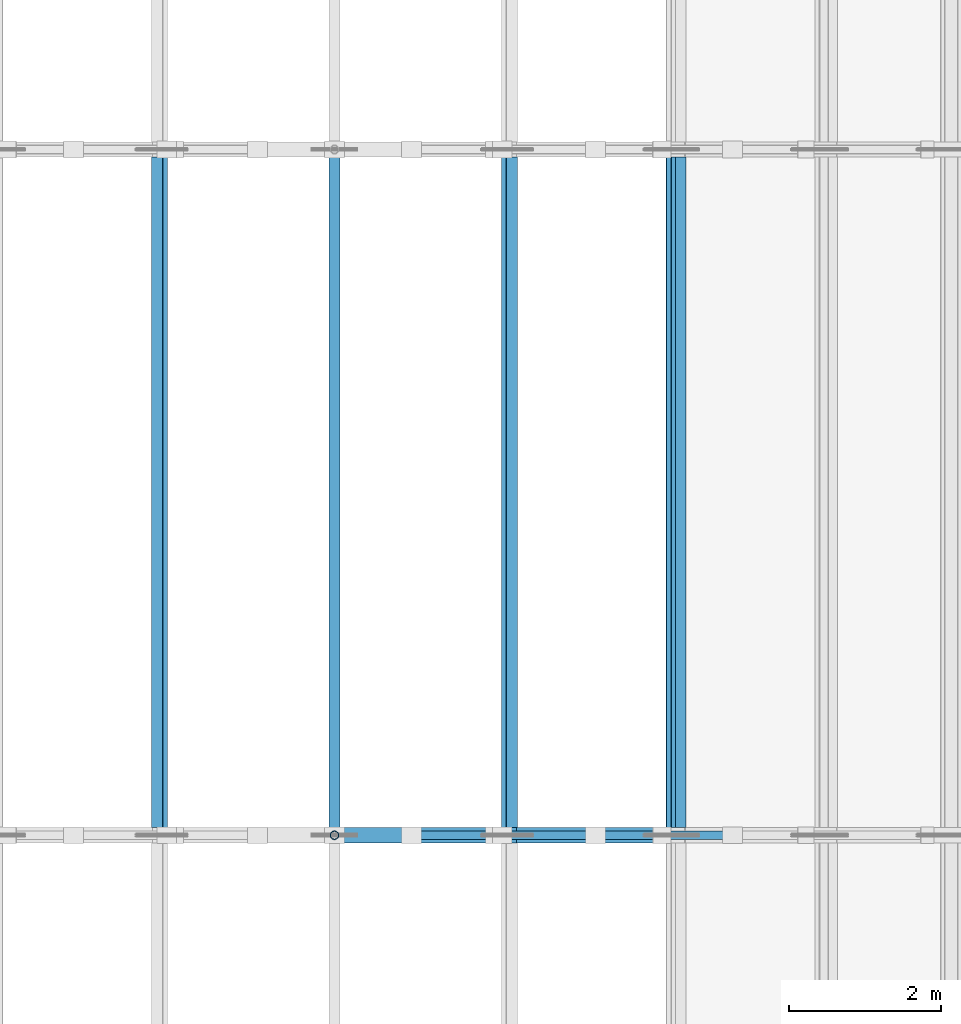
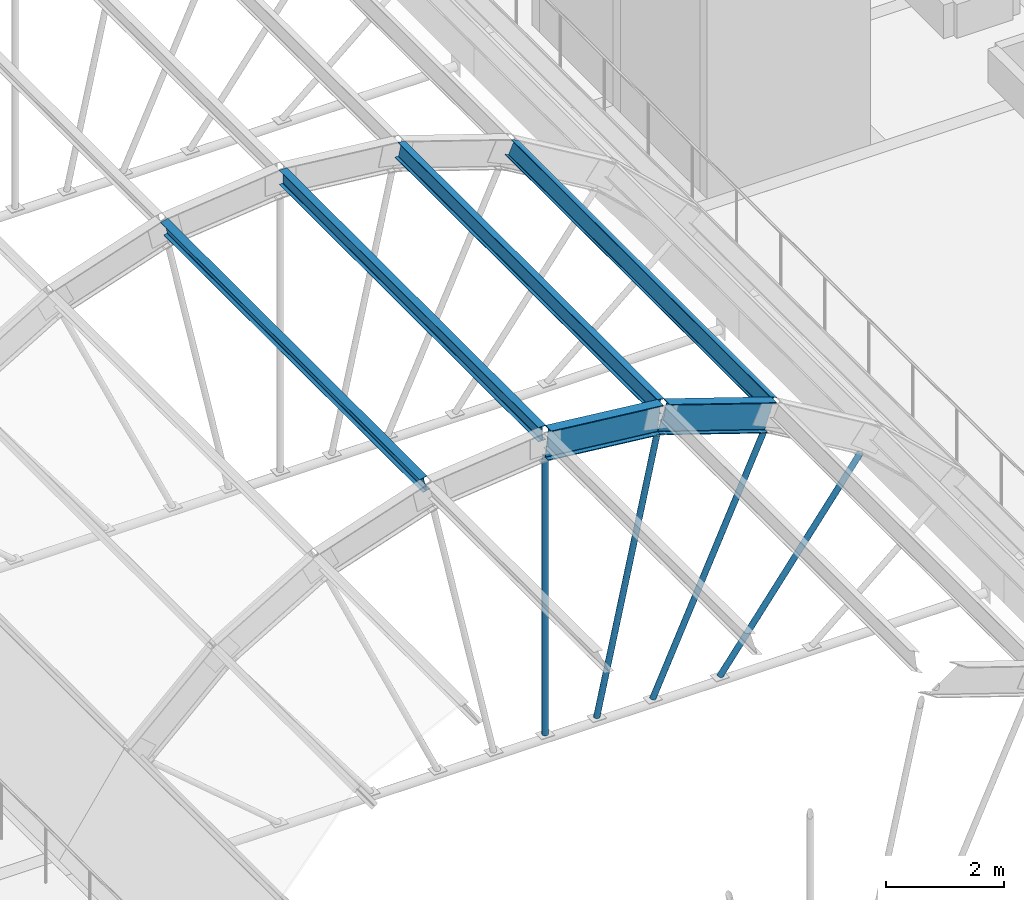
# One storey, part 22 of 79: 8 members, 2 beams.
"""IFC4 building model written with IfcOpenShell, lengths in metres."""

from ifc_helpers import new_model, si_unit, direction, frame, origin, origin_2d, place, context, subcontext, project, spatial, hollow_circle, i_section, extrude, material, material_profile, profile_set, type_object, element, save


model = new_model("IFC4")

# Units and contexts
model_context = context("Model", 3, precision=1e-05, world=origin(), true_north=direction((0.0, 1.0)))
body_context = subcontext(model_context, "Body", "Model", "MODEL_VIEW")
ifc_project = project(units=[si_unit("LENGTHUNIT", "METRE"), si_unit("AREAUNIT", "SQUARE_METRE"), si_unit("VOLUMEUNIT", "CUBIC_METRE"), si_unit("PLANEANGLEUNIT", "RADIAN"), si_unit("MASSUNIT", "GRAM", prefix="KILO")], contexts=[model_context])

# Site, building, storey
site_placement = place(None, origin())
site = spatial("IfcSite", under=ifc_project, at=site_placement, CompositionType="ELEMENT")
building_placement = place(site_placement, origin())
building = spatial("IfcBuilding", under=site, at=building_placement, Name="Guidao Yard Department Store", CompositionType="ELEMENT")
storey_placement = place(building_placement, frame((0.0, 0.0, 15.0)))
storey = spatial("IfcBuildingStorey", under=building, at=storey_placement, Name="L03", CompositionType="ELEMENT", Elevation=15.0)

# Members
ifc_material_1 = material(Name="Steel Q355B", Category="steel")
ifc_material_profile_1 = material_profile(ifc_material_1, hollow_circle(Radius=0.056884765625, WallThickness=0.006103515625, at=origin_2d()), Name="CHS 114x6")
ifc_profile_set_1 = profile_set([ifc_material_profile_1], Name="Steel Q355B")
member_type_1 = type_object("IfcMemberType", Name="CHS 114x6", PredefinedType="BRACE", material=ifc_profile_set_1)
member_1_placement = place(storey_placement, frame((90.0, 81.0, -0.360107421875), z_axis=(0.0, 0.0, 1.0), x_axis=(1.0, 0.0, 0.0)))
element("IfcMember", 1, at=member_1_placement, inside=storey, type_object=member_type_1, Name="Roof web strut C05-05", PredefinedType="BRACE", context=body_context, shape_type="SweptSolid", body=[
    extrude(hollow_circle(Radius=0.056884765625, WallThickness=0.006103515625, at=origin_2d()), origin(), (0.0, 0.0, 1.0), 5.72705078125),
])
member_2_placement = place(storey_placement, frame((91.01123046875, 81.0, -0.360107421875), z_axis=(0.211899287995, 0.0, 0.977291508071), x_axis=(0.0, 1.0, 0.0)))
element("IfcMember", 2, at=member_2_placement, inside=storey, type_object=member_type_1, Name="Roof web strut C05-06", PredefinedType="BRACE", context=body_context, shape_type="SweptSolid", body=[
    extrude(hollow_circle(Radius=0.056884765625, WallThickness=0.006103515625, at=origin_2d()), origin(), (0.0, 0.0, 1.0), 5.619140625),
])
member_3_placement = place(storey_placement, frame((92.109130859375, 81.0, -0.360107421875), z_axis=(0.415142377249, 0.0, 0.909756454559), x_axis=(0.0, 1.0, 0.0)))
element("IfcMember", 3, at=member_3_placement, inside=storey, type_object=member_type_1, Name="Roof web strut C05-07", PredefinedType="BRACE", context=body_context, shape_type="SweptSolid", body=[
    extrude(hollow_circle(Radius=0.056884765625, WallThickness=0.006103515625, at=origin_2d()), origin(), (0.0, 0.0, 1.0), 5.271728515625),
])
member_4_placement = place(storey_placement, frame((93.424072265625, 81.0, -0.360107421875), z_axis=(0.600934318152, 0.0, 0.799298408147), x_axis=(0.0, 1.0, 0.0)))
element("IfcMember", 4, at=member_4_placement, inside=storey, type_object=member_type_1, Name="Roof web strut C05-08", PredefinedType="BRACE", context=body_context, shape_type="SweptSolid", body=[
    extrude(hollow_circle(Radius=0.056884765625, WallThickness=0.006103515625, at=origin_2d()), origin(), (0.0, 0.0, 1.0), 4.596923828125),
])
ifc_material_2 = material(Name="Steel Q355B", Category="steel")
ifc_material_profile_2 = material_profile(ifc_material_2, i_section(OverallWidth=0.14990234375, OverallDepth=0.300048828125, WebThickness=0.006591796875, FlangeThickness=0.009033203125, FilletRadius=0.012939453125, at=origin_2d()), Name="HN 300x150x6.5x9")
ifc_profile_set_2 = profile_set([ifc_material_profile_2], Name="Steel Q355B")
member_type_2 = type_object("IfcMemberType", Name="HN 300x150x6.5x9", PredefinedType="PURLIN", material=ifc_profile_set_2)
for number, where, z_axis, x_axis, name in (
    (5, (87.703857421875, 81.10009765625, 5.56640625), (0.0, 1.0, 0.0), (-0.977291953985, 0.0, -0.211897231402), "Roof purlin C05-04"),
    (6, (90.0, 81.10009765625, 5.812255859375), (0.0, 1.0, 0.0), (-1.0, 0.0, 0.0), "Roof purlin C05-05"),
    (7, (92.296142578125, 81.10009765625, 5.56640625), (0.0, 1.0, 0.0), (-0.977291953985, 0.0, 0.211897231402), "Roof purlin C05-06"),
    (8, (94.482421875, 81.10009765625, 4.841064453125), (0.0, 1.0, 0.0), (-0.909750741633, 0.0, 0.415154896513), "Roof purlin C05-07"),
):
    element("IfcMember", number, at=place(storey_placement, frame(where, z_axis=z_axis, x_axis=x_axis)), inside=storey, type_object=member_type_2, Name=name, PredefinedType="PURLIN", context=body_context, shape_type="SweptSolid", body=[
        extrude(i_section(OverallWidth=0.14990234375, OverallDepth=0.300048828125, WebThickness=0.006591796875, FlangeThickness=0.009033203125, FilletRadius=0.012939453125, at=origin_2d()), origin(), (0.0, 0.0, 1.0), 8.7998046875),
    ])

# Beams
ifc_material_3 = material(Name="Steel Q355B", Category="steel")
ifc_material_profile_3 = material_profile(ifc_material_3, i_section(OverallWidth=0.199951171875, OverallDepth=0.60009765625, WebThickness=0.010986328125, FlangeThickness=0.01708984375, FilletRadius=0.012939453125, at=origin_2d()), Name="HN 600x200x11x17")
ifc_profile_set_3 = profile_set([ifc_material_profile_3], Name="Steel Q355B")
beam_type = type_object("IfcBeamType", Name="HN 600x200x11x17", PredefinedType="BEAM", material=ifc_profile_set_3)
beam_1_placement = place(storey_placement, frame((90.031982421875, 81.0, 5.665283203125), z_axis=(0.994311656362, 0.0, -0.10650976492), x_axis=(0.0, 1.0, 0.0)))
element("IfcBeam", 9, at=beam_1_placement, inside=storey, type_object=beam_type, Name="Roof rib C05-06", PredefinedType="BEAM", context=body_context, shape_type="SweptSolid", body=[
    extrude(i_section(OverallWidth=0.199951171875, OverallDepth=0.60009765625, WebThickness=0.010986328125, FlangeThickness=0.01708984375, FilletRadius=0.012939453125, at=origin_2d()), origin(), (0.0, 0.0, 1.0), 2.21435546875),
])
beam_2_placement = place(storey_placement, frame((92.29638671875, 81.0, 5.416015625), z_axis=(0.949091595418, 0.0, -0.31500022779), x_axis=(0.0, 1.0, 0.0)))
element("IfcBeam", 10, at=beam_2_placement, inside=storey, type_object=beam_type, Name="Roof rib C05-07", PredefinedType="BEAM", context=body_context, shape_type="SweptSolid", body=[
    extrude(i_section(OverallWidth=0.199951171875, OverallDepth=0.60009765625, WebThickness=0.010986328125, FlangeThickness=0.01708984375, FilletRadius=0.012939453125, at=origin_2d()), origin(), (0.0, 0.0, 1.0), 2.2080078125),
])

save(model, "model.ifc")
